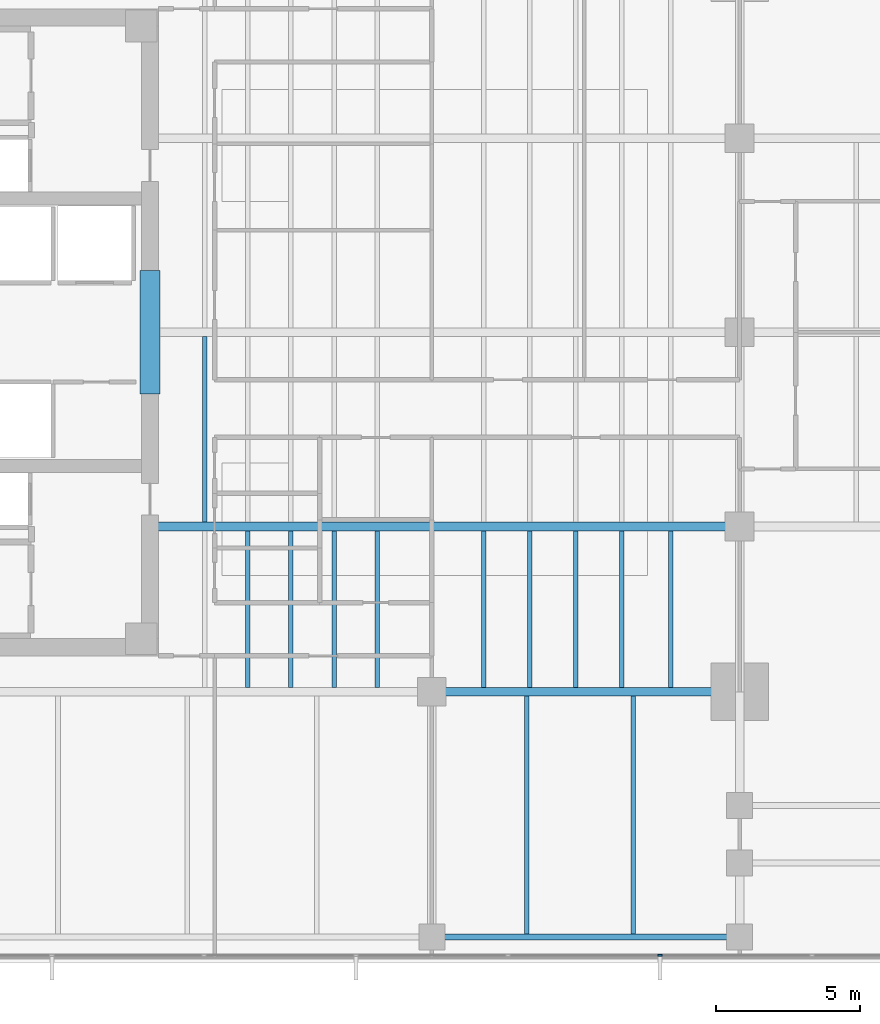
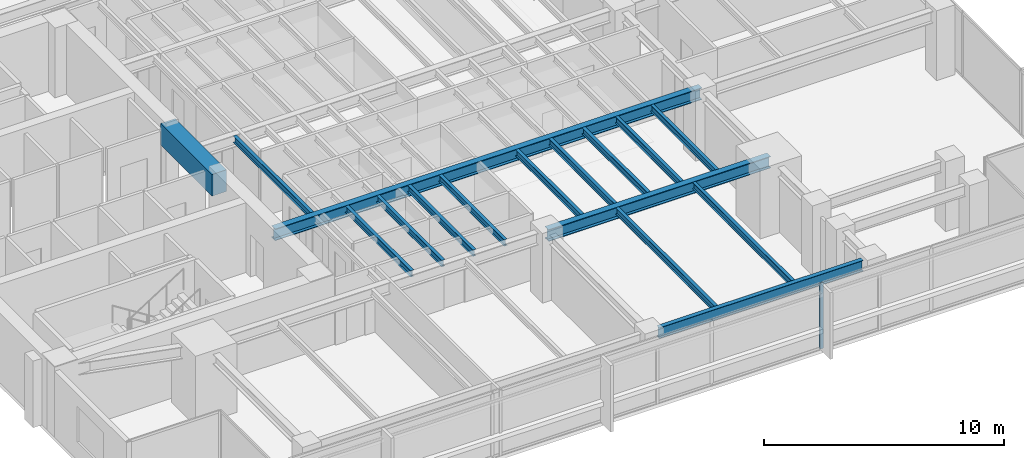
# One storey, part 3 of 15: 16 beams, 1 member, 1 element without a shape of its own.
"""IFC4 building model written with IfcOpenShell, lengths in metres."""

from ifc_helpers import new_model, si_unit, direction, frame, origin, origin_2d, place, context, subcontext, project, spatial, rectangle, i_section, extrude, material, layer, layer_set, material_profile, profile_set, type_object, element, aggregate, save


model = new_model("IFC4")

# Units and contexts
model_context = context("Model", 3, precision=1e-05, world=origin(), true_north=direction((0.0, 1.0)))
body_context = subcontext(model_context, "Body", "Model", "MODEL_VIEW")
ifc_project = project(units=[si_unit("LENGTHUNIT", "METRE"), si_unit("AREAUNIT", "SQUARE_METRE"), si_unit("VOLUMEUNIT", "CUBIC_METRE"), si_unit("PLANEANGLEUNIT", "RADIAN"), si_unit("MASSUNIT", "GRAM", prefix="KILO")], contexts=[model_context])

# Site, building, storey
site_placement = place(None, origin())
site = spatial("IfcSite", under=ifc_project, at=site_placement, CompositionType="ELEMENT")
building_placement = place(site_placement, origin())
building = spatial("IfcBuilding", under=site, at=building_placement, Name="Kinhvarn Gate Tower", CompositionType="ELEMENT")
storey_placement = place(building_placement, frame((0.0, 0.0, 169.699951171875)))
storey = spatial("IfcBuildingStorey", under=building, at=storey_placement, Name="L45", CompositionType="ELEMENT", Elevation=169.699951171875)

# Beam
ifc_material_1 = material(Name="Concrete C70/85", Category="concrete")
ifc_material_profile_1 = material_profile(ifc_material_1, rectangle(XDim=0.699951171875, YDim=1.10009765625, at=origin_2d()), Name="RC 700x1100")
ifc_profile_set_1 = profile_set([ifc_material_profile_1], Name="Concrete C70/85")
beam_type_1 = type_object("IfcBeamType", Name="BM-CB-1100", PredefinedType="LINTEL", material=ifc_profile_set_1)
beam_1_placement = place(storey_placement, frame((17.699951171875, 23.10009765625, 2.800048828125), z_axis=(0.0, 1.0, 0.0), x_axis=(-1.0, 0.0, 0.0)))
element("IfcBeam", 1, at=beam_1_placement, inside=storey, type_object=beam_type_1, Name="Core East Portal Coupling Beam L45", PredefinedType="LINTEL", context=body_context, shape_type="SweptSolid", body=[
    extrude(rectangle(XDim=0.699951171875, YDim=1.10009765625, at=origin_2d()), origin(), (0.0, 0.0, 1.0), 4.2998046875),
])

# Curtain wall, member
ifc_material_2 = material(Name="Anodised aluminium AW-6063", Category="aluminium")
ifc_layer = layer(ifc_material_2, 0.179931640625)
ifc_layer_set = layer_set([ifc_layer], Name="Anodised aluminium AW-6063")
curtain_wall_type = type_object("IfcCurtainWallType", Name="CW-SYS-3", PredefinedType="NOTDEFINED", material=ifc_layer_set)
curtain_wall_placement = place(storey_placement, origin())
curtain_wall = element("IfcCurtainWall", 2, at=curtain_wall_placement, inside=storey, type_object=curtain_wall_type, Name="Curtain Wall CW3 (L45)", PredefinedType="NOTDEFINED")
ifc_material_profile_2 = material_profile(ifc_material_2, rectangle(XDim=0.06494140625, YDim=0.159912109375, at=origin_2d()), Name="ALU 65x160")
ifc_profile_set_2 = profile_set([ifc_material_profile_2], Name="Anodised aluminium AW-6063")
member_type = type_object("IfcMemberType", Name="CW-MUL-160", PredefinedType="MULLION", material=ifc_profile_set_2)
member_placement = place(storey_placement, frame((35.428466796875, 3.590087890625, 0.0), z_axis=(0.0, 0.0, 1.0), x_axis=(0.0, 1.0, 0.0)))
member = element("IfcMember", 3, at=member_placement, type_object=member_type, Name="CW3 mullion 6", PredefinedType="MULLION", context=body_context, shape_type="SweptSolid", body=[
    extrude(rectangle(XDim=0.06494140625, YDim=0.159912109375, at=origin_2d()), origin(), (0.0, 0.0, 1.0), 3.35009765625),
])
aggregate(curtain_wall, [member])

# Beams
ifc_material_3 = material(Name="Steel S355", Category="steel")
ifc_material_profile_3 = material_profile(ifc_material_3, i_section(OverallWidth=0.300048828125, OverallDepth=0.60009765625, WebThickness=0.015380859375, FlangeThickness=0.030029296875, at=origin_2d()), Name="HEB 600")
ifc_profile_set_3 = profile_set([ifc_material_profile_3], Name="Steel S355")
beam_type_2 = type_object("IfcBeamType", Name="STL-HEB600", PredefinedType="BEAM", material=ifc_profile_set_3)
beam_2_placement = place(storey_placement, frame((27.5, 12.75, 3.050048828125), z_axis=(1.0, 0.0, 0.0), x_axis=(0.0, 1.0, 0.0)))
element("IfcBeam", 4, at=beam_2_placement, inside=storey, type_object=beam_type_2, Name="Floor Beam PG-16 (L45 MG-S2)", PredefinedType="BEAM", context=body_context, shape_type="SweptSolid", body=[
    extrude(i_section(OverallWidth=0.300048828125, OverallDepth=0.60009765625, WebThickness=0.015380859375, FlangeThickness=0.030029296875, at=origin_2d()), origin(), (0.0, 0.0, 1.0), 10.699951171875),
])
beam_3_placement = place(storey_placement, frame((17.64990234375, 18.5, 3.050048828125), z_axis=(1.0, 0.0, 0.0), x_axis=(0.0, 1.0, 0.0)))
element("IfcBeam", 5, at=beam_3_placement, inside=storey, type_object=beam_type_2, Name="Floor Beam PG-16 (L45 EW1-Y18)", PredefinedType="BEAM", context=body_context, shape_type="SweptSolid", body=[
    extrude(i_section(OverallWidth=0.300048828125, OverallDepth=0.60009765625, WebThickness=0.015380859375, FlangeThickness=0.030029296875, at=origin_2d()), origin(), (0.0, 0.0, 1.0), 20.550048828125),
])
ifc_material_profile_4 = material_profile(ifc_material_3, i_section(OverallWidth=0.159912109375, OverallDepth=0.330078125, WebThickness=0.007568359375, FlangeThickness=0.011474609375, at=origin_2d()), Name="IPE 330")
ifc_profile_set_4 = profile_set([ifc_material_profile_4], Name="Steel S355")
beam_type_3 = type_object("IfcBeamType", Name="STL-IPE330", PredefinedType="JOIST", material=ifc_profile_set_4)
beam_4_placement = place(storey_placement, frame((19.60009765625, 18.64990234375, 3.18505859375), z_axis=(0.0, 1.0, 0.0), x_axis=(-1.0, 0.0, 0.0)))
element("IfcBeam", 6, at=beam_4_placement, inside=storey, type_object=beam_type_3, Name="Floor Joist SB-03 (L45 JC-X196-1)", PredefinedType="JOIST", context=body_context, shape_type="SweptSolid", body=[
    extrude(i_section(OverallWidth=0.159912109375, OverallDepth=0.330078125, WebThickness=0.007568359375, FlangeThickness=0.011474609375, at=origin_2d()), origin(), (0.0, 0.0, 1.0), 6.4501953125),
])
for number, where, z_axis, x_axis, name in (
    (7, (21.10009765625, 12.89990234375, 3.18505859375), (0.0, 1.0, 0.0), (-1.0, 0.0, 0.0), "Floor Joist SB-03 (L45 JC-X211-0)"),
    (8, (22.60009765625, 12.89990234375, 3.18505859375), (0.0, 1.0, 0.0), (-1.0, 0.0, 0.0), "Floor Joist SB-03 (L45 JC-X226-0)"),
    (9, (24.10009765625, 12.89990234375, 3.18505859375), (0.0, 1.0, 0.0), (-1.0, 0.0, 0.0), "Floor Joist SB-03 (L45 JC-X241-0)"),
    (10, (25.60009765625, 12.89990234375, 3.18505859375), (0.0, 1.0, 0.0), (-1.0, 0.0, 0.0), "Floor Joist SB-03 (L45 JC-X256-0)"),
    (11, (29.300048828125, 12.89990234375, 3.18505859375), (0.0, 1.0, 0.0), (-1.0, 0.0, 0.0), "Floor Joist SB-03 (L45 JC-X293-0)"),
    (12, (30.89990234375, 12.89990234375, 3.18505859375), (0.0, 1.0, 0.0), (-1.0, 0.0, 0.0), "Floor Joist SB-03 (L45 JC-X309-0)"),
    (13, (32.5, 12.89990234375, 3.18505859375), (0.0, 1.0, 0.0), (-1.0, 0.0, 0.0), "Floor Joist SB-03 (L45 JC-X325-0)"),
    (14, (34.10009765625, 12.89990234375, 3.18505859375), (0.0, 1.0, 0.0), (-1.0, 0.0, 0.0), "Floor Joist SB-03 (L45 JC-X341-0)"),
    (15, (35.800048828125, 12.89990234375, 3.18505859375), (0.0, 1.0, 0.0), (-1.0, 0.0, 0.0), "Floor Joist SB-03 (L45 JC-X358-0)"),
):
    element("IfcBeam", number, at=place(storey_placement, frame(where, z_axis=z_axis, x_axis=x_axis)), inside=storey, type_object=beam_type_3, Name=name, PredefinedType="JOIST", context=body_context, shape_type="SweptSolid", body=[
        extrude(i_section(OverallWidth=0.159912109375, OverallDepth=0.330078125, WebThickness=0.007568359375, FlangeThickness=0.011474609375, at=origin_2d()), origin(), (0.0, 0.0, 1.0), 5.4501953125),
    ])
for number, where, z_axis, x_axis, name in (
    (16, (30.800048828125, 4.324951171875, 3.18505859375), (0.0, 1.0, 0.0), (-1.0, 0.0, 0.0), "Floor Joist SB-03 (L45 JS-X308)"),
    (17, (34.5, 4.324951171875, 3.18505859375), (0.0, 1.0, 0.0), (-1.0, 0.0, 0.0), "Floor Joist SB-03 (L45 JS-X345)"),
):
    element("IfcBeam", number, at=place(storey_placement, frame(where, z_axis=z_axis, x_axis=x_axis)), inside=storey, type_object=beam_type_3, Name=name, PredefinedType="JOIST", context=body_context, shape_type="SweptSolid", body=[
        extrude(i_section(OverallWidth=0.159912109375, OverallDepth=0.330078125, WebThickness=0.007568359375, FlangeThickness=0.011474609375, at=origin_2d()), origin(), (0.0, 0.0, 1.0), 8.275146484375),
    ])
ifc_material_profile_5 = material_profile(ifc_material_3, i_section(OverallWidth=0.2099609375, OverallDepth=0.550048828125, WebThickness=0.010986328125, FlangeThickness=0.01708984375, at=origin_2d()), Name="IPE 550")
ifc_profile_set_5 = profile_set([ifc_material_profile_5], Name="Steel S355")
beam_type_4 = type_object("IfcBeamType", Name="STL-IPE550", PredefinedType="SPANDREL", material=ifc_profile_set_5)
beam_5_placement = place(storey_placement, frame((27.93505859375, 4.219970703125, 3.074951171875), z_axis=(1.0, 0.0, 0.0), x_axis=(0.0, 1.0, 0.0)))
element("IfcBeam", 18, at=beam_5_placement, inside=storey, type_object=beam_type_4, Name="Floor Spandrel SB-08 (L45 SP-S2)", PredefinedType="SPANDREL", context=body_context, shape_type="SweptSolid", body=[
    extrude(i_section(OverallWidth=0.2099609375, OverallDepth=0.550048828125, WebThickness=0.010986328125, FlangeThickness=0.01708984375, at=origin_2d()), origin(), (0.0, 0.0, 1.0), 9.829833984375),
])

save(model, "model.ifc")
